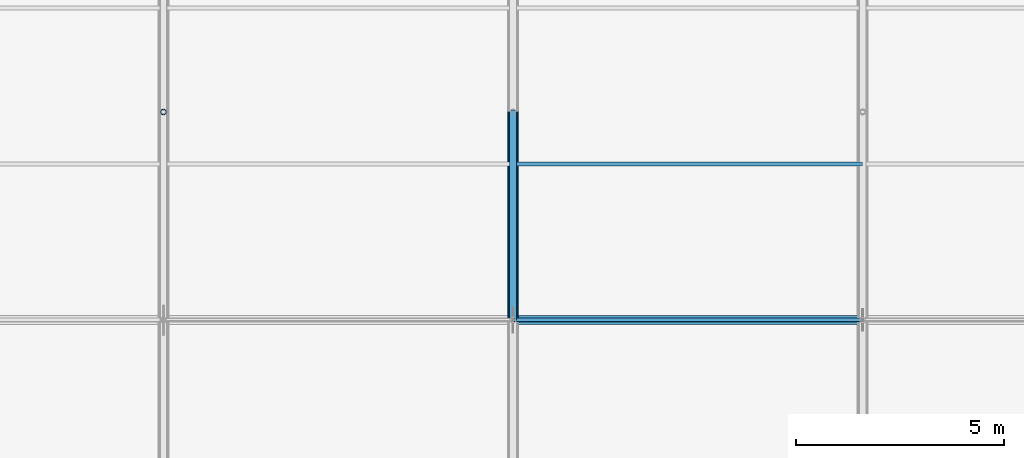
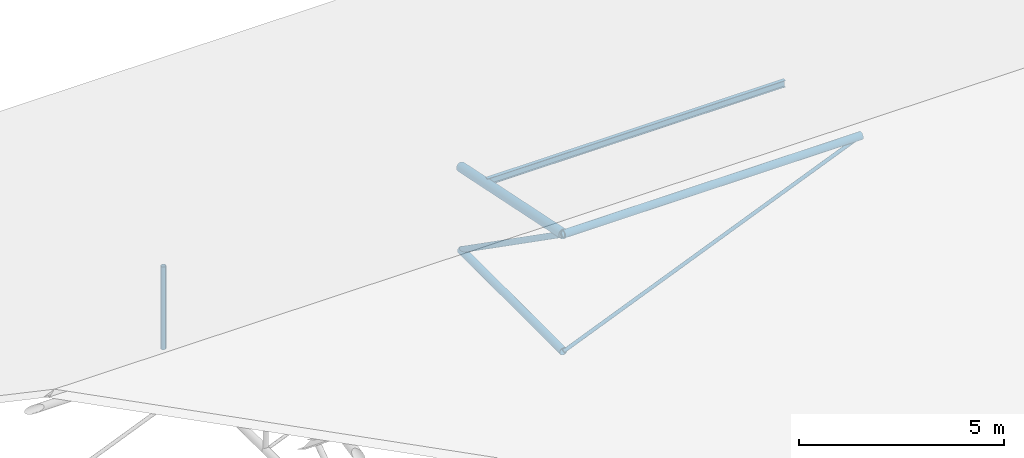
# One storey, part 98 of 194: 6 members, 1 beam.
"""IFC4 building model written with IfcOpenShell, lengths in metres."""

import ifcopenshell
import ifcopenshell.guid

model = None  # the IFC model being written
_history = None  # IfcOwnerHistory: only IFC2X3 demands one
_inside = {}  # id of a spatial element -> (the spatial element, [elements in it])
_under = {}  # id of a project, library or spatial element -> (it, [spatial elements below it])
_declared = {}  # id of a project -> (the project, [libraries it declares])
_typed = {}  # id of a type object -> (the type object, [elements of that type])
_made_of = {}  # id of a material, layer set ... -> (it, [elements and type objects made of it])


def new_model(schema):
    """Start an empty IFC model of exactly this schema.

    Asked for "IFC4X3", IfcOpenShell would pick the latest addendum, in which some entities
    have other attributes; the version numbers below select the first issue.
    IFC2X3 requires an IfcOwnerHistory on every rooted entity: one is made here for all.
    """
    global model, _history
    if schema == "IFC4X3":
        model = ifcopenshell.file(schema_version=(4, 3, 0, 0))
    else:
        model = ifcopenshell.file(schema=schema)
    _inside.clear()
    _under.clear()
    _declared.clear()
    _typed.clear()
    _made_of.clear()
    _history = None
    if model.schema == "IFC2X3":
        org = make("IfcOrganization", Name="unknown")
        user = make(
            "IfcPersonAndOrganization",
            ThePerson=make("IfcPerson", FamilyName="unknown"),
            TheOrganization=org,
        )
        app = make(
            "IfcApplication",
            ApplicationDeveloper=org,
            Version="unknown",
            ApplicationFullName="unknown",
            ApplicationIdentifier="unknown",
        )
        _history = make(
            "IfcOwnerHistory",
            OwningUser=user,
            OwningApplication=app,
            ChangeAction="ADDED",
            CreationDate=0,
        )
    return model


def make(cls, **values):
    """One entity of the class cls with the attributes given. An attribute that is None is left unset."""
    return model.create_entity(
        cls, **{name: value for name, value in values.items() if value is not None}
    )


def rooted(cls, **values):
    """An entity with a GlobalId (a new one), such as an element, a storey or a relation."""
    return make(cls, GlobalId=ifcopenshell.guid.new(), OwnerHistory=_history, **values)


def si_unit(unit_type, name, prefix=None):
    """IfcSIUnit, for example si_unit("LENGTHUNIT", "METRE", prefix="MILLI")."""
    return make("IfcSIUnit", UnitType=unit_type, Prefix=prefix, Name=name)


def assignment(units):
    """IfcUnitAssignment: the units of a project."""
    return None if units is None else make("IfcUnitAssignment", Units=units)


def point(xyz):
    """IfcCartesianPoint."""
    return None if xyz is None else make("IfcCartesianPoint", Coordinates=xyz)


def direction(xyz):
    """IfcDirection."""
    return None if xyz is None else make("IfcDirection", DirectionRatios=xyz)


def frame(location, z_axis=None, x_axis=None):
    """IfcAxis2Placement3D, a coordinate frame: its origin and axes. An axis left out is left unset."""
    return make(
        "IfcAxis2Placement3D",
        Location=point(location),
        Axis=direction(z_axis),
        RefDirection=direction(x_axis),
    )


def frame_2d(location, x_axis=None):
    """IfcAxis2Placement2D, a coordinate frame in the plane: its origin and x axis."""
    return make(
        "IfcAxis2Placement2D", Location=point(location), RefDirection=direction(x_axis)
    )


def origin():
    """The frame at (0, 0, 0) with its axes left unset."""
    return frame((0.0, 0.0, 0.0))


def origin_2d():
    """The frame at (0, 0) in the plane with its x axis left unset."""
    return frame_2d((0.0, 0.0))


def place(relative_to, where):
    """IfcLocalPlacement: puts the frame where relative to a parent placement (None: the world)."""
    return make(
        "IfcLocalPlacement", PlacementRelTo=relative_to, RelativePlacement=where
    )


def context(
    kind, dimensions, precision=None, world=None, true_north=None, identifier=None
):
    """IfcGeometricRepresentationContext, for example the 3D "Model" context."""
    return make(
        "IfcGeometricRepresentationContext",
        ContextIdentifier=identifier,
        ContextType=kind,
        CoordinateSpaceDimension=dimensions,
        Precision=precision,
        WorldCoordinateSystem=world,
        TrueNorth=true_north,
    )


def subcontext(parent, identifier, kind, view, scale=None):
    """IfcGeometricRepresentationSubContext, for example "Body" below "Model"."""
    return make(
        "IfcGeometricRepresentationSubContext",
        ContextIdentifier=identifier,
        ContextType=kind,
        ParentContext=parent,
        TargetScale=scale,
        TargetView=view,
    )


def project(units=None, contexts=None):
    """IfcProject with its units and contexts."""
    return rooted(
        "IfcProject",
        Name="project",
        RepresentationContexts=contexts,
        UnitsInContext=assignment(units),
    )


def spatial(cls, under=None, at=None, **own):
    """A site, building, storey or space (cls), placed at a placement, below another one or the project."""
    s = rooted(cls, ObjectPlacement=at, **own)
    if under is not None:
        _under.setdefault(under.id(), (under, []))[1].append(s)
    return s


def profile(cls, at=None, kind="AREA", **sizes):
    """A parametric profile (cls). Its sizes go by their IFC names, for example OverallWidth=200.0."""
    return make(cls, ProfileType=kind, Position=at, **sizes)


def hollow_circle(**sizes):
    """IfcCircleHollowProfileDef."""
    return profile("IfcCircleHollowProfileDef", **sizes)


def i_section(**sizes):
    """IfcIShapeProfileDef."""
    return profile("IfcIShapeProfileDef", **sizes)


def extrude(swept, where, along, depth):
    """IfcExtrudedAreaSolid: the profile swept, set in the frame where, extruded along a direction by depth."""
    return make(
        "IfcExtrudedAreaSolid",
        SweptArea=swept,
        Position=where,
        ExtrudedDirection=direction(along),
        Depth=depth,
    )


def shape(context_of_items, identifier, shape_type, items):
    """IfcShapeRepresentation: the items that make up one representation, for example the "Body"."""
    return make(
        "IfcShapeRepresentation",
        ContextOfItems=context_of_items,
        RepresentationIdentifier=identifier,
        RepresentationType=shape_type,
        Items=items,
    )


def material(Name=None, Category=None):
    """IfcMaterial."""
    return make("IfcMaterial", Name=Name, Category=Category)


def material_profile(
    of_material, cross_section, Name=None, Category=None, Priority=None
):
    """IfcMaterialProfile: a cross section and its material."""
    return make(
        "IfcMaterialProfile",
        Name=Name,
        Material=of_material,
        Profile=cross_section,
        Priority=Priority,
        Category=Category,
    )


def profile_set(profiles, Name=None, composite=None):
    """IfcMaterialProfileSet."""
    return make(
        "IfcMaterialProfileSet",
        Name=Name,
        MaterialProfiles=profiles,
        CompositeProfile=composite,
    )


def made_of(thing, what):
    """Note that an element or type object is made of a material, layer set ...; save() writes the relation."""
    if what is not None:
        _made_of.setdefault(what.id(), (what, []))[1].append(thing)
    return thing


def type_object(cls, material=None, **own):
    """A type object (cls), such as IfcWallType, which elements share."""
    return made_of(rooted(cls, **own), material)


def element(
    cls,
    number,
    at=None,
    inside=None,
    cuts=None,
    type_object=None,
    material=None,
    context=None,
    identifier="Body",
    shape_type=None,
    held_by="IfcProductDefinitionShape",
    body=None,
    shapes=None,
    **own,
):
    """One element of the class cls, such as IfcWall. Its Tag is "e" and its number.

    at: its placement. inside: the storey or other place that contains it. cuts: it is an
    opening in that element (IfcRelVoidsElement). A single representation is given by context,
    identifier, shape_type and body (its items); several are given by shapes. held_by: the class
    of the entity that holds the representations. save() writes the other relations.
    """
    e = rooted(cls, Tag="e%d" % number, ObjectPlacement=at, **own)
    if body is not None:
        shapes = [shape(context, identifier, shape_type, body)]
    if shapes is not None:
        e.Representation = make(held_by, Representations=shapes)
    if inside is not None:
        _inside.setdefault(inside.id(), (inside, []))[1].append(e)
    if cuts is not None:
        rooted(
            "IfcRelVoidsElement", RelatingBuildingElement=cuts, RelatedOpeningElement=e
        )
    if type_object is not None:
        _typed.setdefault(type_object.id(), (type_object, []))[1].append(e)
    return made_of(e, material)


def aggregate(whole, parts):
    """IfcRelAggregates: a whole, such as a stair, and the parts it consists of."""
    return rooted("IfcRelAggregates", RelatingObject=whole, RelatedObjects=parts)


def save(model, path):
    """Write the relations noted so far, then the file.

    IfcRelAggregates (storeys below a building ...), IfcRelContainedInSpatialStructure (elements
    in a storey), IfcRelDefinesByType, IfcRelAssociatesMaterial and IfcRelDeclares: one each for
    every whole, place, type object, material and project.
    """
    for whole, parts in _under.values():
        aggregate(whole, parts)
    for where, things in _inside.values():
        rooted(
            "IfcRelContainedInSpatialStructure",
            RelatedElements=things,
            RelatingStructure=where,
        )
    for kind, things in _typed.values():
        rooted("IfcRelDefinesByType", RelatedObjects=things, RelatingType=kind)
    for what, things in _made_of.values():
        rooted("IfcRelAssociatesMaterial", RelatedObjects=things, RelatingMaterial=what)
    for by, libraries in _declared.values():
        rooted("IfcRelDeclares", RelatingContext=by, RelatedDefinitions=libraries)
    model.write(path)


model = new_model("IFC4")

# Units and contexts
model_context = context("Model", 3, precision=1e-05, world=origin(), true_north=direction((0.0, 1.0)))
body_context = subcontext(model_context, "Body", "Model", "MODEL_VIEW")
ifc_project = project(units=[si_unit("LENGTHUNIT", "METRE"), si_unit("AREAUNIT", "SQUARE_METRE"), si_unit("VOLUMEUNIT", "CUBIC_METRE"), si_unit("PLANEANGLEUNIT", "RADIAN"), si_unit("MASSUNIT", "GRAM", prefix="KILO")], contexts=[model_context])

# Site, building, storey
site_placement = place(None, origin())
site = spatial("IfcSite", under=ifc_project, at=site_placement, CompositionType="ELEMENT")
building_placement = place(site_placement, origin())
building = spatial("IfcBuilding", under=site, at=building_placement, Name="Kazenagashi Tramway Depot", CompositionType="ELEMENT")
storey_placement = place(building_placement, frame((0.0, 0.0, 23.7)))
storey = spatial("IfcBuildingStorey", under=building, at=storey_placement, Name="ROOF", CompositionType="ELEMENT", Elevation=23.7)

# Beam
ifc_material_1 = material(Name="Steel SN400B", Category="steel")
ifc_material_profile_1 = material_profile(ifc_material_1, i_section(OverallWidth=0.1, OverallDepth=0.2, WebThickness=0.0055, FlangeThickness=0.008, at=origin_2d()), Name="H-200x100x5.5x8")
ifc_profile_set_1 = profile_set([ifc_material_profile_1], Name="Steel SN400B")
beam_type = type_object("IfcBeamType", Name="PR-01", PredefinedType="USERDEFINED", material=ifc_profile_set_1)
beam_placement = place(storey_placement, frame((154.0, 118.75, -11.305), z_axis=(1.0, 0.0, 0.0), x_axis=(0.0, 1.0, 0.0)))
element("IfcBeam", 1, at=beam_placement, inside=storey, type_object=beam_type, Name="Beam PR-01 BM-2193", ObjectType="PURLIN", PredefinedType="USERDEFINED", context=body_context, shape_type="SweptSolid", body=[
    extrude(i_section(OverallWidth=0.1, OverallDepth=0.2, WebThickness=0.0055, FlangeThickness=0.008, at=origin_2d()), origin(), (0.0, 0.0, 1.0), 8.4),
])

# Members
ifc_material_2 = material(Name="Steel STK490", Category="steel")
ifc_material_profile_2 = material_profile(ifc_material_2, hollow_circle(Radius=0.1337, WallThickness=0.0093, at=origin_2d()), Name="CHS-267.4x9.3")
ifc_profile_set_2 = profile_set([ifc_material_profile_2], Name="Steel STK490")
member_type_1 = type_object("IfcMemberType", Name="TC-01", PredefinedType="CHORD", material=ifc_profile_set_2)
member_1_placement = place(storey_placement, frame((154.0, 115.0, -10.6), z_axis=(0.0, 0.979317999984, -0.202327098797), x_axis=(-1.0, 0.0, 0.0)))
element("IfcMember", 2, at=member_1_placement, inside=storey, type_object=member_type_1, Name="Tubular Space Frame TC-01 MEM-0834", PredefinedType="CHORD", context=body_context, shape_type="SweptSolid", body=[
    extrude(hollow_circle(Radius=0.1337, WallThickness=0.0093, at=origin_2d()), origin(), (0.0, 0.0, 1.0), 5.105594),
])
ifc_material_profile_3 = material_profile(ifc_material_2, hollow_circle(Radius=0.10815, WallThickness=0.0082, at=origin_2d()), Name="CHS-216.3x8.2")
ifc_profile_set_3 = profile_set([ifc_material_profile_3], Name="Steel STK490")
member_type_2 = type_object("IfcMemberType", Name="TC-02", PredefinedType="CHORD", material=ifc_profile_set_3)
member_2_placement = place(storey_placement, frame((154.0, 115.0, -14.1), z_axis=(0.0, 1.0, 0.0), x_axis=(-1.0, 0.0, 0.0)))
element("IfcMember", 3, at=member_2_placement, inside=storey, type_object=member_type_2, Name="Tubular Space Frame TC-02 MEM-0835", PredefinedType="CHORD", context=body_context, shape_type="SweptSolid", body=[
    extrude(hollow_circle(Radius=0.10815, WallThickness=0.0082, at=origin_2d()), origin(), (0.0, 0.0, 1.0), 5.0),
])
member_3_placement = place(storey_placement, frame((154.0, 115.0, -10.6), z_axis=(1.0, 0.0, 0.0), x_axis=(0.0, 1.0, 0.0)))
element("IfcMember", 4, at=member_3_placement, inside=storey, type_object=member_type_2, Name="Tubular Space Frame TC-02 MEM-0851", PredefinedType="CHORD", context=body_context, shape_type="SweptSolid", body=[
    extrude(hollow_circle(Radius=0.10815, WallThickness=0.0082, at=origin_2d()), origin(), (0.0, 0.0, 1.0), 8.4),
])
ifc_material_profile_4 = material_profile(ifc_material_2, hollow_circle(Radius=0.0826, WallThickness=0.0071, at=origin_2d()), Name="CHS-165.2x7.1")
ifc_profile_set_4 = profile_set([ifc_material_profile_4], Name="Steel STK490")
member_type_3 = type_object("IfcMemberType", Name="TS-01", PredefinedType="STRUT", material=ifc_profile_set_4)
member_4_placement = place(storey_placement, frame((154.0, 115.0, -10.6), z_axis=(0.0, 0.819231920519, -0.573462344363), x_axis=(-1.0, 0.0, 0.0)))
element("IfcMember", 5, at=member_4_placement, inside=storey, type_object=member_type_3, Name="Tubular Space Frame TS-01 MEM-0836", PredefinedType="STRUT", context=body_context, shape_type="SweptSolid", body=[
    extrude(hollow_circle(Radius=0.0826, WallThickness=0.0071, at=origin_2d()), origin(), (0.0, 0.0, 1.0), 6.103278),
])
ifc_material_profile_5 = material_profile(ifc_material_2, hollow_circle(Radius=0.0699, WallThickness=0.0066, at=origin_2d()), Name="CHS-139.8x6.6")
ifc_profile_set_5 = profile_set([ifc_material_profile_5], Name="Steel STK490")
member_type_4 = type_object("IfcMemberType", Name="TS-02", PredefinedType="STRUT", material=ifc_profile_set_5)
member_5_placement = place(storey_placement, frame((145.6, 120.0, -14.1), z_axis=(0.0, 0.0, 1.0), x_axis=(1.0, 0.0, 0.0)))
element("IfcMember", 6, at=member_5_placement, inside=storey, type_object=member_type_4, Name="Tubular Space Frame TS-02 MEM-0785", PredefinedType="STRUT", context=body_context, shape_type="SweptSolid", body=[
    extrude(hollow_circle(Radius=0.0699, WallThickness=0.0066, at=origin_2d()), origin(), (0.0, 0.0, 1.0), 2.467),
])
ifc_material_3 = material(Name="Steel STK400", Category="steel")
ifc_material_profile_6 = material_profile(ifc_material_3, hollow_circle(Radius=0.0508, WallThickness=0.0042, at=origin_2d()), Name="CHS-101.6x4.2")
ifc_profile_set_6 = profile_set([ifc_material_profile_6], Name="Steel STK400")
member_type_5 = type_object("IfcMemberType", Name="TS-06", PredefinedType="STRUT", material=ifc_profile_set_6)
member_6_placement = place(storey_placement, frame((154.0, 115.0, -14.1), z_axis=(0.923076923077, 0.0, 0.384615384615), x_axis=(0.0, 1.0, 0.0)))
element("IfcMember", 7, at=member_6_placement, inside=storey, type_object=member_type_5, Name="Tubular Space Frame TS-06 MEM-0852", PredefinedType="STRUT", context=body_context, shape_type="SweptSolid", body=[
    extrude(hollow_circle(Radius=0.0508, WallThickness=0.0042, at=origin_2d()), origin(), (0.0, 0.0, 1.0), 9.1),
])

save(model, "model.ifc")
